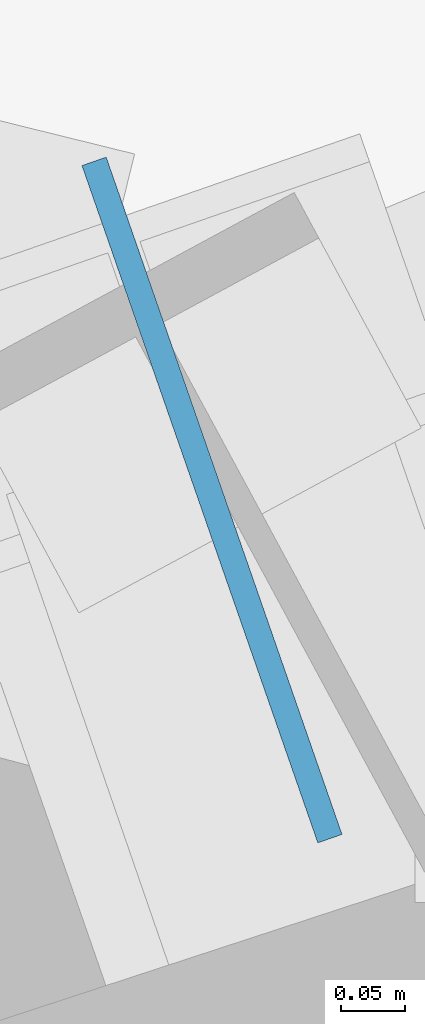
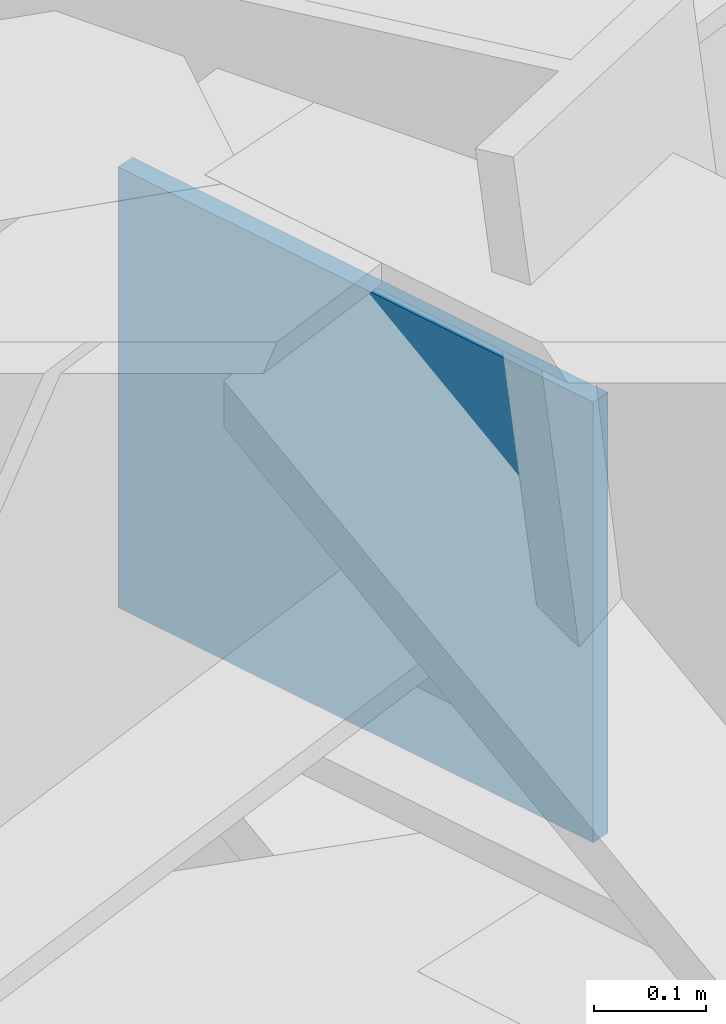
# One storey, part 13 of 21: 1 plate.
"""IFC4 building model written with IfcOpenShell, lengths in metres."""

from ifc_helpers import new_model, si_unit, direction, frame, origin, origin_2d, place, context, subcontext, project, spatial, rectangle, extrude, source, transform, mapped, material, type_object, element, save


model = new_model("IFC4")

# Units and contexts
model_context = context("Model", 3, precision=1e-05, world=origin(), true_north=direction((0.0, 1.0)))
body_context = subcontext(model_context, "Body", "Model", "MODEL_VIEW")
ifc_project = project(units=[si_unit("LENGTHUNIT", "METRE"), si_unit("AREAUNIT", "SQUARE_METRE"), si_unit("VOLUMEUNIT", "CUBIC_METRE"), si_unit("PLANEANGLEUNIT", "RADIAN"), si_unit("MASSUNIT", "GRAM", prefix="KILO")], contexts=[model_context])

# Site, building, storey
site_placement = place(None, origin())
site = spatial("IfcSite", under=ifc_project, at=site_placement, CompositionType="ELEMENT")
building_placement = place(site_placement, origin())
building = spatial("IfcBuilding", under=site, at=building_placement, Name="Olszyna Solenne Hotel", CompositionType="ELEMENT")
storey_placement = place(building_placement, frame((0.0, 0.0, 109.25)))
storey = spatial("IfcBuildingStorey", under=building, at=storey_placement, Name="L28", CompositionType="ELEMENT", Elevation=109.25)

# Plate
ifc_material = material(Name="Steel S355J2", Category="steel")
plate_type = type_object("IfcPlateType", Name="GP-ND2", PredefinedType="USERDEFINED", material=ifc_material)
shared_shape = source(origin(), body_context, "Body", "SweptSolid", [
    extrude(rectangle(XDim=0.56005859375, YDim=0.02001953125, at=origin_2d()), origin(), (0.0, 0.0, 1.0), 0.47998046875),
])
plate_placement = place(storey_placement, frame((65.672119140625, 38.289794921875, 2.652099609375), z_axis=(0.0, 0.0, 1.0), x_axis=(-0.328866646739, 0.944376370237, 0.0)))
element("IfcPlate", 1, at=plate_placement, inside=storey, type_object=plate_type, Name="Brace end connection gusset plate GP-ND2 EP-BR-L28-1-2", ObjectType="GUSSET_PLATE", PredefinedType="USERDEFINED", context=body_context, shape_type="MappedRepresentation", body=[
    mapped(shared_shape, transform((0.0, 0.0, 0.0), x_axis=(1.0, 0.0, 0.0), y_axis=(0.0, 1.0, 0.0), z_axis=(0.0, 0.0, 1.0), scale=1.0)),
])

save(model, "model.ifc")
